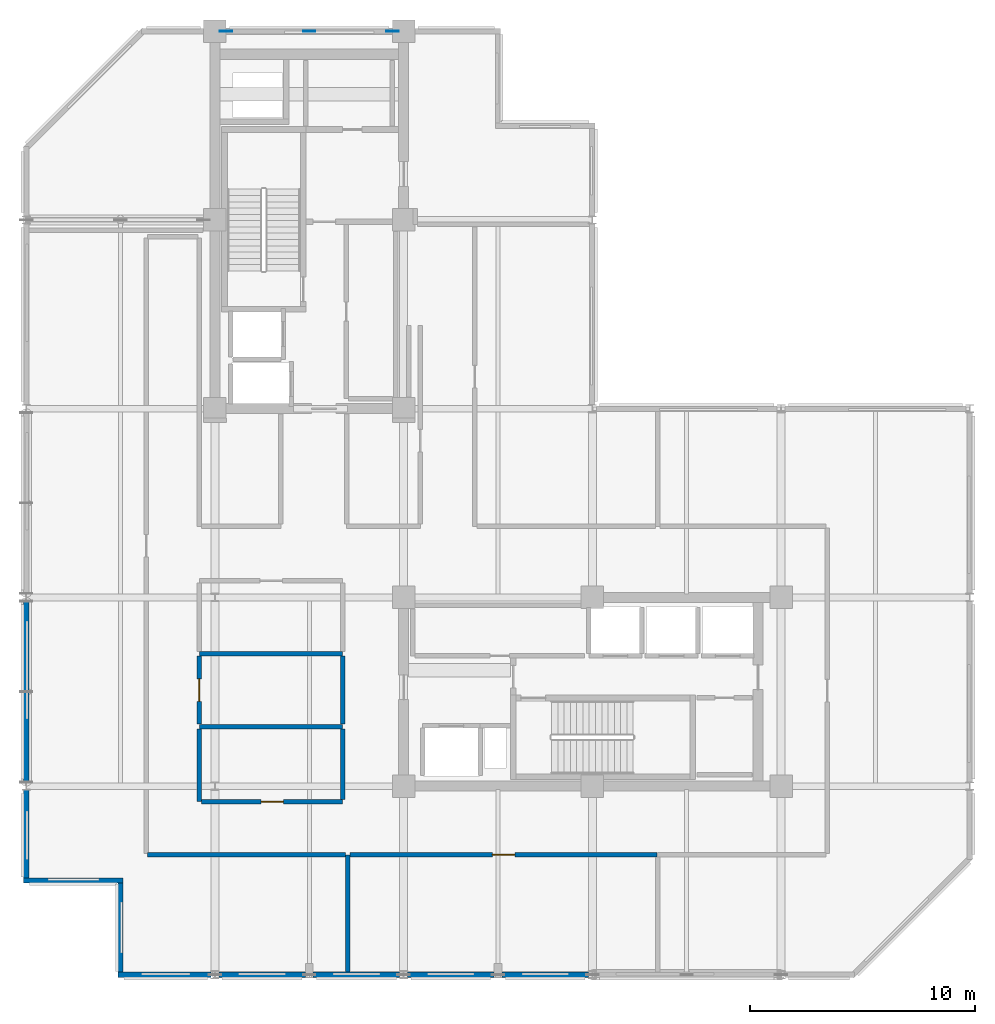
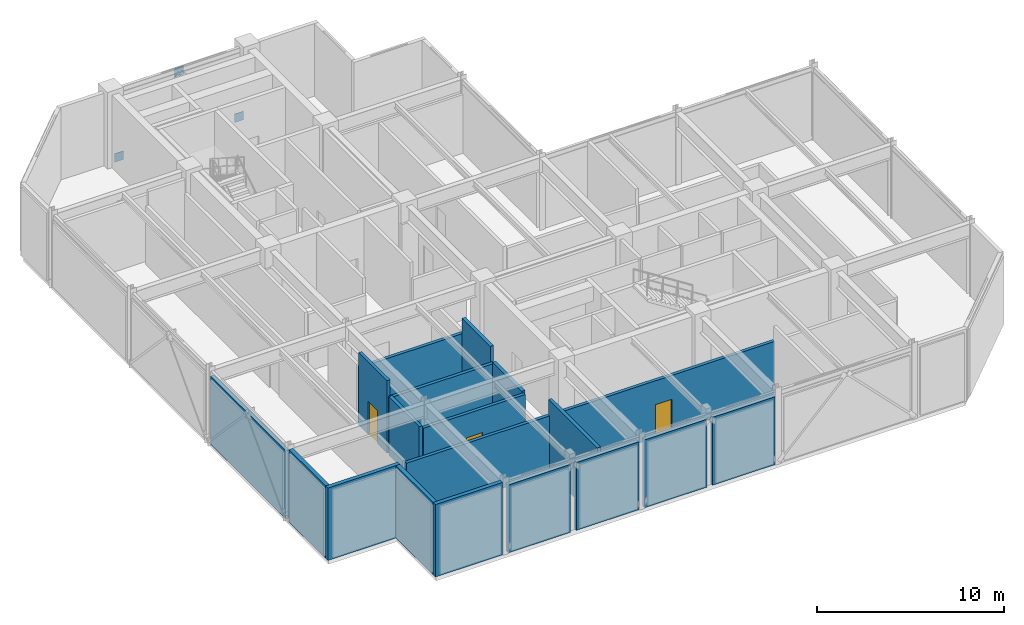
# One storey, part 4 of 10: 19 walls, 3 doors, 3 plates, 3 openings.
"""IFC4 building model written with IfcOpenShell, lengths in metres."""

from ifc_helpers import new_model, si_unit, direction, frame, frame_2d, origin, origin_2d, place, context, subcontext, project, spatial, rectangle, extrude, material, layer, layer_set, type_object, element, fill, save


model = new_model("IFC4")

# Units and contexts
model_context = context("Model", 3, precision=1e-05, world=origin(), true_north=direction((0.0, 1.0)))
body_context = subcontext(model_context, "Body", "Model", "MODEL_VIEW")
ifc_project = project(units=[si_unit("LENGTHUNIT", "METRE"), si_unit("AREAUNIT", "SQUARE_METRE"), si_unit("VOLUMEUNIT", "CUBIC_METRE"), si_unit("PLANEANGLEUNIT", "RADIAN"), si_unit("MASSUNIT", "GRAM", prefix="KILO")], contexts=[model_context])

# Site, building, storey
site_placement = place(None, origin())
site = spatial("IfcSite", under=ifc_project, at=site_placement, CompositionType="ELEMENT")
building_placement = place(site_placement, origin())
building = spatial("IfcBuilding", under=site, at=building_placement, Name="Nerrivon Quay Data Exchange", CompositionType="ELEMENT")
storey_placement = place(building_placement, frame((0.0, 0.0, 245.199951171875)))
storey = spatial("IfcBuildingStorey", under=building, at=storey_placement, Name="L58", CompositionType="ELEMENT", Elevation=245.199951171875)

# Plates
ifc_material_1 = material(Name="Steel Grade 350", Category="steel")
ifc_layer_1 = layer(ifc_material_1, 0.031982421875)
ifc_layer_set_1 = layer_set([ifc_layer_1], Name="Steel Grade 350")
plate_type = type_object("IfcPlateType", Name="PLT-KNB01", PredefinedType="USERDEFINED", material=ifc_layer_set_1)
for number, where, z_axis, x_axis, name in (
    (1, (8.89990234375, 42.0, -0.09521484375), (0.0, 0.0, 1.0), (1.0, 0.0, 0.0), "L58 node plate 91"),
    (2, (12.60009765625, 42.0, 4.16015625), (0.0, 0.0, 1.0), (1.0, 0.0, 0.0), "L58 node plate 92"),
    (3, (16.300048828125, 42.0, -0.09521484375), (0.0, 0.0, 1.0), (1.0, 0.0, 0.0), "L58 node plate 93"),
):
    element("IfcPlate", number, at=place(storey_placement, frame(where, z_axis=z_axis, x_axis=x_axis)), inside=storey, type_object=plate_type, Name=name, ObjectType="GUSSET PLATE", PredefinedType="USERDEFINED", context=body_context, shape_type="SweptSolid", body=[
        extrude(rectangle(XDim=0.550048828125, YDim=0.035888671875, at=origin_2d()), origin(), (0.0, 0.0, 1.0), 0.550048828125),
    ])

# Walls
ifc_material_2 = material(Name="Architectural terracotta precast concrete N50 (50 MPa)", Category="masonry")
ifc_layer_2 = layer(ifc_material_2, 0.239990234375)
ifc_layer_set_2 = layer_set([ifc_layer_2], Name="Architectural terracotta precast concrete N50 (50 MPa)")
wall_type_1 = type_object("IfcWallType", Name="EW-PREC-240", PredefinedType="STANDARD", material=ifc_layer_set_2)
for number, where, z_axis, x_axis, name in (
    (4, (25.02490234375, 0.0, 0.0), (0.0, 0.0, 1.0), (-1.0, 0.0, 0.0), "L58 Plant Enclosure Wall 4"),
    (5, (20.824951171875, 0.0, 0.0), (0.0, 0.0, 1.0), (-1.0, 0.0, 0.0), "L58 Plant Enclosure Wall 5"),
):
    element("IfcWall", number, at=place(storey_placement, frame(where, z_axis=z_axis, x_axis=x_axis)), inside=storey, type_object=wall_type_1, Name=name, PredefinedType="STANDARD", context=body_context, shape_type="SweptSolid", body=[
        extrude(rectangle(XDim=3.849853515625, YDim=0.239990234375, at=frame_2d((1.9248046875, 0.0))), origin(), (0.0, 0.0, 1.0), 4.425048828125),
    ])
for number, where, z_axis, x_axis, name in (
    (6, (16.625, 0.0, 0.0), (0.0, 0.0, 1.0), (-1.0, 0.0, 0.0), "L58 Plant Enclosure Wall 6"),
    (7, (12.425048828125, 0.0, 0.0), (0.0, 0.0, 1.0), (-1.0, 0.0, 0.0), "L58 Plant Enclosure Wall 7"),
):
    element("IfcWall", number, at=place(storey_placement, frame(where, z_axis=z_axis, x_axis=x_axis)), inside=storey, type_object=wall_type_1, Name=name, PredefinedType="STANDARD", context=body_context, shape_type="SweptSolid", body=[
        extrude(rectangle(XDim=3.85009765625, YDim=0.239990234375, at=frame_2d((1.925048828125, 0.0))), origin(), (0.0, 0.0, 1.0), 4.425048828125),
    ])
wall_1_placement = place(storey_placement, frame((8.22509765625, 0.0, 0.0), z_axis=(0.0, 0.0, 1.0), x_axis=(-1.0, 0.0, 0.0)))
element("IfcWall", 8, at=wall_1_placement, inside=storey, type_object=wall_type_1, Name="L58 Plant Enclosure Wall 8", PredefinedType="STANDARD", context=body_context, shape_type="SweptSolid", body=[
    extrude(rectangle(XDim=4.14501953125, YDim=0.239990234375, at=frame_2d((2.072509765625, 0.0))), origin(), (0.0, 0.0, 1.0), 4.72509765625),
])
wall_2_placement = place(storey_placement, frame((4.199951171875, 0.1201171875, 0.0), z_axis=(0.0, 0.0, 1.0), x_axis=(0.0, 1.0, 0.0)))
element("IfcWall", 9, at=wall_2_placement, inside=storey, type_object=wall_type_1, Name="L58 Plant Enclosure Wall 9", PredefinedType="STANDARD", context=body_context, shape_type="SweptSolid", body=[
    extrude(rectangle(XDim=3.9599609375, YDim=0.239990234375, at=frame_2d((1.97998046875, 0.0))), origin(), (0.0, 0.0, 1.0), 4.72509765625),
])
wall_3_placement = place(storey_placement, frame((4.320068359375, 4.199951171875, 0.0), z_axis=(0.0, 0.0, 1.0), x_axis=(-1.0, 0.0, 0.0)))
element("IfcWall", 10, at=wall_3_placement, inside=storey, type_object=wall_type_1, Name="L58 Plant Enclosure Wall 10", PredefinedType="STANDARD", context=body_context, shape_type="SweptSolid", body=[
    extrude(rectangle(XDim=4.440185546875, YDim=0.239990234375, at=frame_2d((2.22021484375, 0.0))), origin(), (0.0, 0.0, 1.0), 4.72509765625),
])
wall_4_placement = place(storey_placement, frame((0.0, 4.320068359375, 0.0), z_axis=(0.0, 0.0, 1.0), x_axis=(0.0, 1.0, 0.0)))
element("IfcWall", 11, at=wall_4_placement, inside=storey, type_object=wall_type_1, Name="L58 Plant Enclosure Wall 11", PredefinedType="STANDARD", context=body_context, shape_type="SweptSolid", body=[
    extrude(rectangle(XDim=3.905029296875, YDim=0.239990234375, at=frame_2d((1.95263671875, 0.0))), origin(), (0.0, 0.0, 1.0), 4.72509765625),
])
wall_5_placement = place(storey_placement, frame((0.0, 8.574951171875, 0.0), z_axis=(0.0, 0.0, 1.0), x_axis=(0.0, 1.0, 0.0)))
element("IfcWall", 12, at=wall_5_placement, inside=storey, type_object=wall_type_1, Name="L58 Plant Enclosure Wall 12", PredefinedType="STANDARD", context=body_context, shape_type="SweptSolid", body=[
    extrude(rectangle(XDim=8.050048828125, YDim=0.239990234375, at=frame_2d((4.02490234375, 0.0))), origin(), (0.0, 0.0, 1.0), 4.425048828125),
])
ifc_material_3 = material(Name="Gypsum plasterboard on cold-formed framing", Category="gypsum")
ifc_layer_3 = layer(ifc_material_3, 0.199951171875)
ifc_layer_set_3 = layer_set([ifc_layer_3], Name="Gypsum plasterboard on cold-formed framing")
wall_type_2 = type_object("IfcWallType", Name="WALL-FW-200", PredefinedType="PARTITIONING", material=ifc_layer_set_3)
wall_6_placement = place(storey_placement, frame((14.31201171875, 0.1240234375, 0.0), z_axis=(0.0, 0.0, 1.0), x_axis=(0.0, 1.0, 0.0)))
element("IfcWall", 13, at=wall_6_placement, inside=storey, type_object=wall_type_2, Name="L58 Partition Standby Generator Hall", PredefinedType="PARTITIONING", context=body_context, shape_type="SweptSolid", body=[
    extrude(rectangle(XDim=5.216064453125, YDim=0.199951171875, at=frame_2d((2.60791015625, 0.0))), origin(), (0.0, 0.0, 1.0), 4.72509765625),
])
wall_7_placement = place(storey_placement, frame((14.2080078125, 5.340087890625, 0.0), z_axis=(0.0, 0.0, 1.0), x_axis=(-1.0, 0.0, 0.0)))
element("IfcWall", 14, at=wall_7_placement, inside=storey, type_object=wall_type_2, Name="L58 Partition Standby Generator Hall", PredefinedType="PARTITIONING", context=body_context, shape_type="SweptSolid", body=[
    extrude(rectangle(XDim=8.80810546875, YDim=0.199951171875, at=frame_2d((4.404052734375, 0.0))), origin(), (0.0, 0.0, 1.0), 3.708984375),
])

# Wall, opening, door
wall_8_placement = place(storey_placement, frame((28.0859375, 5.340087890625, 0.0), z_axis=(0.0, 0.0, 1.0), x_axis=(-1.0, 0.0, 0.0)))
wall_8 = element("IfcWall", 15, at=wall_8_placement, inside=storey, type_object=wall_type_2, Name="L58 Partition Fire & Chilled Water Pump Room", PredefinedType="PARTITIONING", context=body_context, shape_type="SweptSolid", body=[
    extrude(rectangle(XDim=13.669921875, YDim=0.199951171875, at=frame_2d((6.8349609375, 0.0))), origin(), (0.0, 0.0, 1.0), 3.708984375),
])
opening_1_placement = place(wall_8_placement, frame((6.3349609375, 0.0, 0.0)))
opening_1 = element("IfcOpeningElement", 16, at=opening_1_placement, cuts=wall_8, Name="Opening FD-60", PredefinedType="OPENING", context=body_context, shape_type="SweptSolid", body=[
    extrude(rectangle(XDim=1.0, YDim=2.14990234375, at=frame_2d((0.5, 1.074951171875))), frame((0.0, 0.10986328125, 0.0), z_axis=(0.0, -1.0, 0.0), x_axis=(1.0, 0.0, 0.0)), (0.0, 0.0, 1.0), 0.219970703125),
])
ifc_material_4 = material(Name="Engineered hardwood timber", Category="wood")
door_type = type_object("IfcDoorType", Name="DR-FD60-1000", OperationType="NOTDEFINED", PredefinedType="DOOR", material=ifc_material_4)
door_1_placement = place(opening_1_placement, origin())
door_1 = element("IfcDoor", 17, at=door_1_placement, inside=storey, type_object=door_type, Name="L58 Door Fire & Chilled Water Pump Room", OperationType="SINGLE_SWING_LEFT", OverallHeight=2.14990234375, OverallWidth=1.0, PredefinedType="DOOR", context=body_context, shape_type="SweptSolid", body=[
    extrude(rectangle(XDim=1.0, YDim=2.14990234375, at=frame_2d((0.5, 1.074951171875))), frame((0.0, 0.02490234375, 0.0), z_axis=(0.0, -1.0, 0.0), x_axis=(1.0, 0.0, 0.0)), (0.0, 0.0, 1.0), 0.050048828125),
])
fill(opening_1, door_1)

# Walls
wall_9_placement = place(storey_placement, frame((14.090087890625, 11.05224609375, 0.0), z_axis=(0.0, 0.0, 1.0), x_axis=(-1.0, 0.0, 0.0)))
element("IfcWall", 18, at=wall_9_placement, inside=storey, type_object=wall_type_2, Name="L58 Partition HV Transformer Switchroom", PredefinedType="PARTITIONING", context=body_context, shape_type="SweptSolid", body=[
    extrude(rectangle(XDim=6.380126953125, YDim=0.199951171875, at=frame_2d((3.18994140625, 0.0))), origin(), (0.0, 0.0, 1.0), 3.708984375),
])
wall_10_placement = place(storey_placement, frame((7.7099609375, 10.9482421875, 0.0), z_axis=(0.0, 0.0, 1.0), x_axis=(0.0, -1.0, 0.0)))
element("IfcWall", 19, at=wall_10_placement, inside=storey, type_object=wall_type_2, Name="L58 Partition HV Transformer Switchroom", PredefinedType="PARTITIONING", context=body_context, shape_type="SweptSolid", body=[
    extrude(rectangle(XDim=3.23828125, YDim=0.199951171875, at=frame_2d((1.619140625, 0.0))), origin(), (0.0, 0.0, 1.0), 3.824951171875),
])

# Wall, opening, door
wall_11_placement = place(storey_placement, frame((7.81396484375, 7.7099609375, 0.0), z_axis=(0.0, 0.0, 1.0), x_axis=(1.0, 0.0, 0.0)))
wall_11 = element("IfcWall", 20, at=wall_11_placement, inside=storey, type_object=wall_type_2, Name="L58 Partition HV Transformer Switchroom", PredefinedType="PARTITIONING", context=body_context, shape_type="SweptSolid", body=[
    extrude(rectangle(XDim=6.276123046875, YDim=0.199951171875, at=frame_2d((3.13818359375, 0.0))), origin(), (0.0, 0.0, 1.0), 3.708984375),
])
opening_2_placement = place(wall_11_placement, frame((2.637939453125, 0.0, 0.0)))
opening_2 = element("IfcOpeningElement", 21, at=opening_2_placement, cuts=wall_11, Name="Opening FD-60", PredefinedType="OPENING", context=body_context, shape_type="SweptSolid", body=[
    extrude(rectangle(XDim=1.0, YDim=2.14990234375, at=frame_2d((0.5, 1.074951171875))), frame((0.0, 0.10986328125, 0.0), z_axis=(0.0, -1.0, 0.0), x_axis=(1.0, 0.0, 0.0)), (0.0, 0.0, 1.0), 0.219970703125),
])
door_2_placement = place(opening_2_placement, origin())
door_2 = element("IfcDoor", 22, at=door_2_placement, inside=storey, type_object=door_type, Name="L58 Door HV Transformer Switchroom", OperationType="SINGLE_SWING_RIGHT", OverallHeight=2.14990234375, OverallWidth=1.0, PredefinedType="DOOR", context=body_context, shape_type="SweptSolid", body=[
    extrude(rectangle(XDim=1.0, YDim=2.14990234375, at=frame_2d((0.5, 1.074951171875))), frame((0.0, 0.02490234375, 0.0), z_axis=(0.0, -1.0, 0.0), x_axis=(1.0, 0.0, 0.0)), (0.0, 0.0, 1.0), 0.050048828125),
])
fill(opening_2, door_2)

# Walls
wall_12_placement = place(storey_placement, frame((14.090087890625, 7.81396484375, 0.0), z_axis=(0.0, 0.0, 1.0), x_axis=(0.0, 1.0, 0.0)))
element("IfcWall", 23, at=wall_12_placement, inside=storey, type_object=wall_type_2, Name="L58 Partition HV Transformer Switchroom", PredefinedType="PARTITIONING", context=body_context, shape_type="SweptSolid", body=[
    extrude(rectangle(XDim=3.13427734375, YDim=0.199951171875, at=frame_2d((1.567138671875, 0.0))), origin(), (0.0, 0.0, 1.0), 3.824951171875),
])
wall_13_placement = place(storey_placement, frame((14.090087890625, 14.296142578125, 0.0), z_axis=(0.0, 0.0, 1.0), x_axis=(-1.0, 0.0, 0.0)))
element("IfcWall", 24, at=wall_13_placement, inside=storey, type_object=wall_type_2, Name="L58 Partition Standby Generator Hall 6", PredefinedType="PARTITIONING", context=body_context, shape_type="SweptSolid", body=[
    extrude(rectangle(XDim=6.380126953125, YDim=0.199951171875, at=frame_2d((3.18994140625, 0.0))), origin(), (0.0, 0.0, 1.0), 3.708984375),
])

# Wall, opening, door
wall_14_placement = place(storey_placement, frame((7.7099609375, 14.192138671875, 0.0), z_axis=(0.0, 0.0, 1.0), x_axis=(0.0, -1.0, 0.0)))
wall_14 = element("IfcWall", 25, at=wall_14_placement, inside=storey, type_object=wall_type_2, Name="L58 Partition Standby Generator Hall 6", PredefinedType="PARTITIONING", context=body_context, shape_type="SweptSolid", body=[
    extrude(rectangle(XDim=3.035888671875, YDim=0.199951171875, at=frame_2d((1.51806640625, 0.0))), origin(), (0.0, 0.0, 1.0), 4.72509765625),
])
opening_3_placement = place(wall_14_placement, frame((1.017822265625, 0.0, 0.0)))
opening_3 = element("IfcOpeningElement", 26, at=opening_3_placement, cuts=wall_14, Name="Opening FD-60", PredefinedType="OPENING", context=body_context, shape_type="SweptSolid", body=[
    extrude(rectangle(XDim=1.0, YDim=2.14990234375, at=frame_2d((0.5, 1.074951171875))), frame((0.0, 0.10986328125, 0.0), z_axis=(0.0, -1.0, 0.0), x_axis=(1.0, 0.0, 0.0)), (0.0, 0.0, 1.0), 0.219970703125),
])
door_3_placement = place(opening_3_placement, origin())
door_3 = element("IfcDoor", 27, at=door_3_placement, inside=storey, type_object=door_type, Name="L58 Door Standby Generator Hall 6", OperationType="SINGLE_SWING_LEFT", OverallHeight=2.14990234375, OverallWidth=1.0, PredefinedType="DOOR", context=body_context, shape_type="SweptSolid", body=[
    extrude(rectangle(XDim=1.0, YDim=2.14990234375, at=frame_2d((0.5, 1.074951171875))), frame((0.0, 0.02490234375, 0.0), z_axis=(0.0, -1.0, 0.0), x_axis=(1.0, 0.0, 0.0)), (0.0, 0.0, 1.0), 0.050048828125),
])
fill(opening_3, door_3)

# Wall
wall_15_placement = place(storey_placement, frame((14.090087890625, 11.15625, 0.0), z_axis=(0.0, 0.0, 1.0), x_axis=(0.0, 1.0, 0.0)))
element("IfcWall", 28, at=wall_15_placement, inside=storey, type_object=wall_type_2, Name="L58 Partition Standby Generator Hall 6", PredefinedType="PARTITIONING", context=body_context, shape_type="SweptSolid", body=[
    extrude(rectangle(XDim=3.035888671875, YDim=0.199951171875, at=frame_2d((1.51806640625, 0.0))), origin(), (0.0, 0.0, 1.0), 4.72509765625),
])

save(model, "model.ifc")
